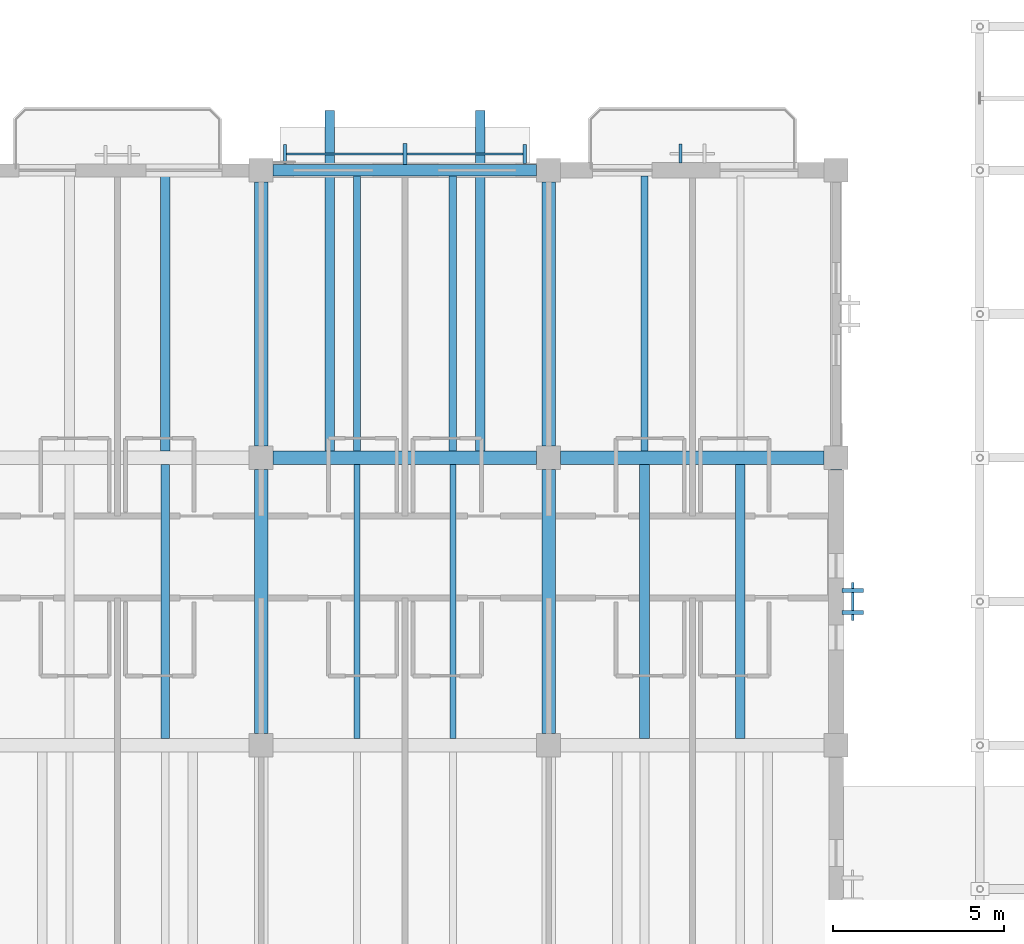
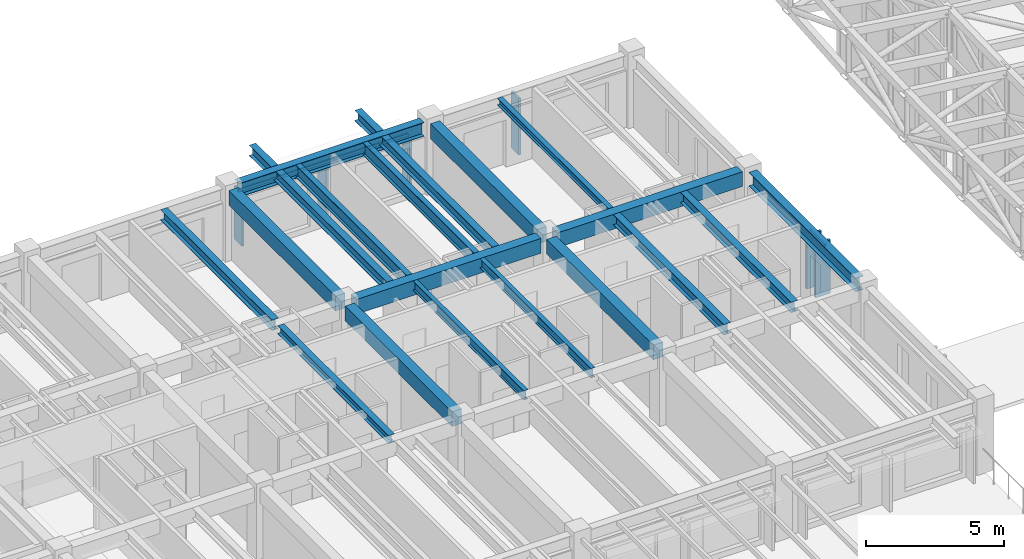
# One storey, part 30 of 111: 19 beams, 8 members, 3 elements without a shape of their own.
"""IFC4 building model written with IfcOpenShell, lengths in metres."""

from ifc_helpers import new_model, si_unit, direction, frame, origin, origin_2d, place, context, subcontext, project, spatial, rectangle, i_section, extrude, material, material_profile, profile_set, type_object, element, aggregate, save


model = new_model("IFC4")

# Units and contexts
model_context = context("Model", 3, precision=1e-05, world=origin(), true_north=direction((0.0, 1.0)))
body_context = subcontext(model_context, "Body", "Model", "MODEL_VIEW")
ifc_project = project(units=[si_unit("LENGTHUNIT", "METRE"), si_unit("AREAUNIT", "SQUARE_METRE"), si_unit("VOLUMEUNIT", "CUBIC_METRE"), si_unit("PLANEANGLEUNIT", "RADIAN"), si_unit("MASSUNIT", "GRAM", prefix="KILO")], contexts=[model_context])

# Site, building, storey
site_placement = place(None, origin())
site = spatial("IfcSite", under=ifc_project, at=site_placement, CompositionType="ELEMENT")
building_placement = place(site_placement, origin())
building = spatial("IfcBuilding", under=site, at=building_placement, Name="Cumbredor Promenade Congress Hotel", CompositionType="ELEMENT")
storey_placement = place(building_placement, frame((0.0, 0.0, 15.1201171875)))
storey = spatial("IfcBuildingStorey", under=building, at=storey_placement, Name="L04", CompositionType="ELEMENT", Elevation=15.1201171875)

# Beams
ifc_material_1 = material(Name="Concrete C40/50", Category="concrete")
ifc_material_profile_1 = material_profile(ifc_material_1, rectangle(XDim=0.39990234375, YDim=0.64990234375, at=origin_2d()), Name="RC BEAM 400x650")
ifc_profile_set_1 = profile_set([ifc_material_profile_1], Name="Concrete C40/50")
beam_type_1 = type_object("IfcBeamType", Name="BM-RC-400x650", PredefinedType="BEAM", material=ifc_profile_set_1)
beam_1_placement = place(storey_placement, frame((67.199951171875, 101.14990234375, 2.794921875), z_axis=(0.0, 1.0, 0.0), x_axis=(-1.0, 0.0, 0.0)))
element("IfcBeam", 1, at=beam_1_placement, inside=storey, type_object=beam_type_1, Name="L05 Y-Grid Beam 119", PredefinedType="BEAM", context=body_context, shape_type="SweptSolid", body=[
    extrude(rectangle(XDim=0.39990234375, YDim=0.64990234375, at=origin_2d()), origin(), (0.0, 0.0, 1.0), 7.7001953125),
])
for number, where, z_axis, x_axis, name in (
    (2, (67.550048828125, 109.199951171875, 2.794921875), (1.0, 0.0, 0.0), (0.0, 1.0, 0.0), "L05 X-Grid Beam 120"),
    (3, (67.199951171875, 109.550048828125, 2.794921875), (0.0, 1.0, 0.0), (-1.0, 0.0, 0.0), "L05 Y-Grid Beam 121"),
):
    element("IfcBeam", number, at=place(storey_placement, frame(where, z_axis=z_axis, x_axis=x_axis)), inside=storey, type_object=beam_type_1, Name=name, PredefinedType="BEAM", context=body_context, shape_type="SweptSolid", body=[
        extrude(rectangle(XDim=0.39990234375, YDim=0.64990234375, at=origin_2d()), origin(), (0.0, 0.0, 1.0), 7.699951171875),
    ])
beam_2_placement = place(storey_placement, frame((75.60009765625, 101.14990234375, 2.794921875), z_axis=(0.0, 1.0, 0.0), x_axis=(-1.0, 0.0, 0.0)))
element("IfcBeam", 4, at=beam_2_placement, inside=storey, type_object=beam_type_1, Name="L05 Y-Grid Beam 126", PredefinedType="BEAM", context=body_context, shape_type="SweptSolid", body=[
    extrude(rectangle(XDim=0.39990234375, YDim=0.64990234375, at=origin_2d()), origin(), (0.0, 0.0, 1.0), 7.7001953125),
])
for number, where, z_axis, x_axis, name in (
    (5, (75.949951171875, 109.199951171875, 2.794921875), (1.0, 0.0, 0.0), (0.0, 1.0, 0.0), "L05 X-Grid Beam 127"),
    (6, (75.60009765625, 109.550048828125, 2.794921875), (0.0, 1.0, 0.0), (-1.0, 0.0, 0.0), "L05 Y-Grid Beam 128"),
):
    element("IfcBeam", number, at=place(storey_placement, frame(where, z_axis=z_axis, x_axis=x_axis)), inside=storey, type_object=beam_type_1, Name=name, PredefinedType="BEAM", context=body_context, shape_type="SweptSolid", body=[
        extrude(rectangle(XDim=0.39990234375, YDim=0.64990234375, at=origin_2d()), origin(), (0.0, 0.0, 1.0), 7.699951171875),
    ])
ifc_material_2 = material(Name="Steel ASTM A992 Grade 50", Category="steel")
ifc_material_profile_2 = material_profile(ifc_material_2, i_section(OverallWidth=0.323974609375, OverallDepth=0.611083984375, WebThickness=0.0126953125, FlangeThickness=0.01904296875, at=origin_2d()), Name="W24X104")
ifc_profile_set_2 = profile_set([ifc_material_profile_2], Name="Steel ASTM A992 Grade 50")
beam_type_2 = type_object("IfcBeamType", Name="BM-W24X104", PredefinedType="BEAM", material=ifc_profile_set_2)
beam_3_placement = place(storey_placement, frame((67.550048828125, 117.60009765625, 2.814453125), z_axis=(1.0, 0.0, 0.0), x_axis=(0.0, 1.0, 0.0)))
element("IfcBeam", 7, at=beam_3_placement, inside=storey, type_object=beam_type_2, Name="L05 X-Grid Beam 122", PredefinedType="BEAM", context=body_context, shape_type="SweptSolid", body=[
    extrude(i_section(OverallWidth=0.323974609375, OverallDepth=0.611083984375, WebThickness=0.0126953125, FlangeThickness=0.01904296875, at=origin_2d()), origin(), (0.0, 0.0, 1.0), 7.699951171875),
])

# Curtain wall, member
ifc_material_3 = material(Name="Thermally broken anodized aluminium and low-E glass", Category="aluminium")
curtain_wall_type = type_object("IfcCurtainWallType", Name="Solar Brise-Soleil Screen Assembly CW-07", PredefinedType="NOTDEFINED", material=ifc_material_3)
curtain_wall_1_placement = place(storey_placement, origin())
curtain_wall_1 = element("IfcCurtainWall", 8, at=curtain_wall_1_placement, inside=storey, type_object=curtain_wall_type, Name="L04 Hospitality Brise-Soleil Screen 077", PredefinedType="NOTDEFINED")
ifc_material_4 = material(Name="Thermally broken anodized aluminium", Category="aluminium")
ifc_material_profile_3 = material_profile(ifc_material_4, rectangle(XDim=0.06494140625, YDim=0.1298828125, at=origin_2d()), Name="ALU TRANSOM 65x130")
ifc_profile_set_3 = profile_set([ifc_material_profile_3], Name="Thermally broken anodized aluminium")
member_type_1 = type_object("IfcMemberType", Name="Curtain Wall Transom TR-01", PredefinedType="USERDEFINED", material=ifc_profile_set_3)
member_1_placement = place(storey_placement, frame((67.85107421875, 118.072509765625, 2.31396484375), z_axis=(1.0, 0.0, 0.0), x_axis=(0.0, 1.0, 0.0)))
member_1 = element("IfcMember", 9, at=member_1_placement, type_object=member_type_1, Name="L04 Brise-Soleil Screen Transom 077", ObjectType="TRANSOM", PredefinedType="USERDEFINED", context=body_context, shape_type="SweptSolid", body=[
    extrude(rectangle(XDim=0.06494140625, YDim=0.1298828125, at=origin_2d()), origin(), (0.0, 0.0, 1.0), 7.097900390625),
])

curtain_wall_2_placement = place(storey_placement, origin())
curtain_wall_2 = element("IfcCurtainWall", 10, at=curtain_wall_2_placement, inside=storey, type_object=curtain_wall_type, Name="L04 Pier Brise-Soleil Screen 0799", PredefinedType="NOTDEFINED")
member_2_placement = place(storey_placement, frame((84.485107421875, 104.449951171875, 2.333984375), z_axis=(0.0, 1.0, 0.0), x_axis=(-1.0, 0.0, 0.0)))
member_2 = element("IfcMember", 11, at=member_2_placement, type_object=member_type_1, Name="L04 Pier Brise-Soleil Header 0801", ObjectType="TRANSOM", PredefinedType="USERDEFINED", context=body_context, shape_type="SweptSolid", body=[
    extrude(rectangle(XDim=0.06494140625, YDim=0.1298828125, at=origin_2d()), origin(), (0.0, 0.0, 1.0), 1.10009765625),
])

# Beams
ifc_material_profile_4 = material_profile(ifc_material_2, i_section(OverallWidth=0.202880859375, OverallDepth=0.302978515625, WebThickness=0.007568359375, FlangeThickness=0.01318359375, at=origin_2d()), Name="W12X40")
ifc_profile_set_4 = profile_set([ifc_material_profile_4], Name="Steel ASTM A992 Grade 50")
beam_type_3 = type_object("IfcBeamType", Name="JST-W12X40", PredefinedType="JOIST", material=ifc_profile_set_4)
beam_4_placement = place(storey_placement, frame((78.39990234375, 109.39990234375, 2.96826171875), z_axis=(0.0, 1.0, 0.0), x_axis=(-1.0, 0.0, 0.0)))
element("IfcBeam", 12, at=beam_4_placement, inside=storey, type_object=beam_type_3, Name="L05 Secondary Floor Joist 0074", PredefinedType="JOIST", context=body_context, shape_type="SweptSolid", body=[
    extrude(i_section(OverallWidth=0.202880859375, OverallDepth=0.302978515625, WebThickness=0.007568359375, FlangeThickness=0.01318359375, at=origin_2d()), origin(), (0.0, 0.0, 1.0), 8.0380859375),
])
ifc_material_profile_5 = material_profile(ifc_material_2, i_section(OverallWidth=0.2548828125, OverallDepth=0.35693359375, WebThickness=0.010498046875, FlangeThickness=0.018310546875, at=origin_2d()), Name="W14X68")
ifc_profile_set_5 = profile_set([ifc_material_profile_5], Name="Steel ASTM A992 Grade 50")
beam_type_4 = type_object("IfcBeamType", Name="JST-W14X68", PredefinedType="JOIST", material=ifc_profile_set_5)
beam_5_placement = place(storey_placement, frame((64.39990234375, 101.0, 2.94140625), z_axis=(0.0, 1.0, 0.0), x_axis=(-1.0, 0.0, 0.0)))
element("IfcBeam", 13, at=beam_5_placement, inside=storey, type_object=beam_type_4, Name="L05 Secondary Floor Joist 0061", PredefinedType="JOIST", context=body_context, shape_type="SweptSolid", body=[
    extrude(i_section(OverallWidth=0.2548828125, OverallDepth=0.35693359375, WebThickness=0.010498046875, FlangeThickness=0.018310546875, at=origin_2d()), origin(), (0.0, 0.0, 1.0), 8.0),
])
ifc_material_profile_6 = material_profile(ifc_material_2, i_section(OverallWidth=0.180908203125, OverallDepth=0.4169921875, WebThickness=0.010986328125, FlangeThickness=0.018310546875, at=origin_2d()), Name="W16X57")
ifc_profile_set_6 = profile_set([ifc_material_profile_6], Name="Steel ASTM A992 Grade 50")
beam_type_5 = type_object("IfcBeamType", Name="JST-W16X57", PredefinedType="JOIST", material=ifc_profile_set_6)
for number, where, z_axis, x_axis, name in (
    (14, (70.0, 101.0, 2.911376953125), (0.0, 1.0, 0.0), (-1.0, 0.0, 0.0), "L05 Secondary Floor Joist 0066"),
    (15, (72.800048828125, 101.0, 2.911376953125), (0.0, 1.0, 0.0), (-1.0, 0.0, 0.0), "L05 Secondary Floor Joist 0067"),
):
    element("IfcBeam", number, at=place(storey_placement, frame(where, z_axis=z_axis, x_axis=x_axis)), inside=storey, type_object=beam_type_5, Name=name, PredefinedType="JOIST", context=body_context, shape_type="SweptSolid", body=[
        extrude(i_section(OverallWidth=0.180908203125, OverallDepth=0.4169921875, WebThickness=0.010986328125, FlangeThickness=0.018310546875, at=origin_2d()), origin(), (0.0, 0.0, 1.0), 8.0),
    ])
ifc_material_profile_7 = material_profile(ifc_material_2, i_section(OverallWidth=0.280029296875, OverallDepth=0.462890625, WebThickness=0.0107421875, FlangeThickness=0.017333984375, at=origin_2d()), Name="W18X76")
ifc_profile_set_7 = profile_set([ifc_material_profile_7], Name="Steel ASTM A992 Grade 50")
beam_type_6 = type_object("IfcBeamType", Name="JST-W18X76", PredefinedType="JOIST", material=ifc_profile_set_7)
for number, where, z_axis, x_axis, name in (
    (16, (69.199951171875, 109.199951171875, 2.888427734375), (0.0, 1.0, 0.0), (-1.0, 0.0, 0.0), "L05 Balcony Back-Spanned Outrigger Beam 028.1"),
    (17, (73.60009765625, 109.199951171875, 2.888427734375), (0.0, 1.0, 0.0), (-1.0, 0.0, 0.0), "L05 Balcony Back-Spanned Outrigger Beam 028.2"),
):
    element("IfcBeam", number, at=place(storey_placement, frame(where, z_axis=z_axis, x_axis=x_axis)), inside=storey, type_object=beam_type_6, Name=name, PredefinedType="JOIST", context=body_context, shape_type="SweptSolid", body=[
        extrude(i_section(OverallWidth=0.280029296875, OverallDepth=0.462890625, WebThickness=0.0107421875, FlangeThickness=0.017333984375, at=origin_2d()), origin(), (0.0, 0.0, 1.0), 10.150146484375),
    ])
beam_6_placement = place(storey_placement, frame((64.39990234375, 109.39990234375, 2.888427734375), z_axis=(0.0, 1.0, 0.0), x_axis=(-1.0, 0.0, 0.0)))
element("IfcBeam", 18, at=beam_6_placement, inside=storey, type_object=beam_type_6, Name="L05 Secondary Floor Joist 0063", PredefinedType="JOIST", context=body_context, shape_type="SweptSolid", body=[
    extrude(i_section(OverallWidth=0.280029296875, OverallDepth=0.462890625, WebThickness=0.0107421875, FlangeThickness=0.017333984375, at=origin_2d()), origin(), (0.0, 0.0, 1.0), 8.0380859375),
])
for number, where, z_axis, x_axis, name in (
    (19, (78.39990234375, 101.0, 2.888427734375), (0.0, 1.0, 0.0), (-1.0, 0.0, 0.0), "L05 Secondary Floor Joist 0072"),
    (20, (81.199951171875, 101.0, 2.888427734375), (0.0, 1.0, 0.0), (-1.0, 0.0, 0.0), "L05 Secondary Floor Joist 0073"),
):
    element("IfcBeam", number, at=place(storey_placement, frame(where, z_axis=z_axis, x_axis=x_axis)), inside=storey, type_object=beam_type_6, Name=name, PredefinedType="JOIST", context=body_context, shape_type="SweptSolid", body=[
        extrude(i_section(OverallWidth=0.280029296875, OverallDepth=0.462890625, WebThickness=0.0107421875, FlangeThickness=0.017333984375, at=origin_2d()), origin(), (0.0, 0.0, 1.0), 8.0),
    ])
ifc_material_profile_8 = material_profile(ifc_material_2, i_section(OverallWidth=0.214111328125, OverallDepth=0.549072265625, WebThickness=0.0146484375, FlangeThickness=0.023681640625, at=origin_2d()), Name="W21X93")
ifc_profile_set_8 = profile_set([ifc_material_profile_8], Name="Steel ASTM A992 Grade 50")
beam_type_7 = type_object("IfcBeamType", Name="JST-W21X93", PredefinedType="JOIST", material=ifc_profile_set_8)
for number, where, z_axis, x_axis, name in (
    (21, (70.0, 109.39990234375, 2.845458984375), (0.0, 1.0, 0.0), (-1.0, 0.0, 0.0), "L05 Secondary Floor Joist 0068"),
    (22, (72.800048828125, 109.39990234375, 2.845458984375), (0.0, 1.0, 0.0), (-1.0, 0.0, 0.0), "L05 Secondary Floor Joist 0069"),
):
    element("IfcBeam", number, at=place(storey_placement, frame(where, z_axis=z_axis, x_axis=x_axis)), inside=storey, type_object=beam_type_7, Name=name, PredefinedType="JOIST", context=body_context, shape_type="SweptSolid", body=[
        extrude(i_section(OverallWidth=0.214111328125, OverallDepth=0.549072265625, WebThickness=0.0146484375, FlangeThickness=0.023681640625, at=origin_2d()), origin(), (0.0, 0.0, 1.0), 8.0380859375),
    ])
ifc_material_profile_9 = material_profile(ifc_material_2, i_section(OverallWidth=0.323974609375, OverallDepth=0.611083984375, WebThickness=0.0126953125, FlangeThickness=0.01904296875, at=origin_2d()), Name="W24X104")
ifc_profile_set_9 = profile_set([ifc_material_profile_9], Name="Steel ASTM A992 Grade 50")
beam_type_8 = type_object("IfcBeamType", Name="SP-W24X104", PredefinedType="SPANDREL", material=ifc_profile_set_9)
beam_7_placement = place(storey_placement, frame((84.0, 101.14990234375, 2.814453125), z_axis=(0.0, 1.0, 0.0), x_axis=(-1.0, 0.0, 0.0)))
element("IfcBeam", 23, at=beam_7_placement, inside=storey, type_object=beam_type_8, Name="L05 Y-Grid Beam 131", PredefinedType="SPANDREL", context=body_context, shape_type="SweptSolid", body=[
    extrude(i_section(OverallWidth=0.323974609375, OverallDepth=0.611083984375, WebThickness=0.0126953125, FlangeThickness=0.01904296875, at=origin_2d()), origin(), (0.0, 0.0, 1.0), 7.7001953125),
])

# Member
ifc_material_profile_10 = material_profile(ifc_material_4, rectangle(XDim=0.110107421875, YDim=0.6201171875, at=origin_2d()), Name="ARCH FIN 110x620")
ifc_profile_set_10 = profile_set([ifc_material_profile_10], Name="Thermally broken anodized aluminium")
member_type_2 = type_object("IfcMemberType", Name="Vertical Bronze Brise-Soleil Fin BSF-02 110x620", PredefinedType="USERDEFINED", material=ifc_profile_set_10)
member_3_placement = place(storey_placement, frame((71.39990234375, 118.072509765625, 0.019775390625), z_axis=(0.0, 0.0, 1.0), x_axis=(1.0, 0.0, 0.0)))
member_3 = element("IfcMember", 24, at=member_3_placement, type_object=member_type_2, Name="L04 Vertical Brise-Soleil Fin 0782", ObjectType="SOLAR FIN", PredefinedType="USERDEFINED", context=body_context, shape_type="SweptSolid", body=[
    extrude(rectangle(XDim=0.110107421875, YDim=0.6201171875, at=origin_2d()), origin(), (0.0, 0.0, 1.0), 2.35400390625),
])

member_4_placement = place(storey_placement, frame((84.485107421875, 104.679931640625, 0.019775390625), z_axis=(0.0, 0.0, 1.0), x_axis=(0.0, 1.0, 0.0)))
member_4 = element("IfcMember", 25, at=member_4_placement, type_object=member_type_2, Name="L04 Pier Brise-Soleil Fin 0800", ObjectType="SOLAR FIN", PredefinedType="USERDEFINED", context=body_context, shape_type="SweptSolid", body=[
    extrude(rectangle(XDim=0.110107421875, YDim=0.6201171875, at=origin_2d()), origin(), (0.0, 0.0, 1.0), 2.35400390625),
])

member_5_placement = place(storey_placement, frame((84.485107421875, 105.320068359375, 0.019775390625), z_axis=(0.0, 0.0, 1.0), x_axis=(0.0, 1.0, 0.0)))
member_5 = element("IfcMember", 26, at=member_5_placement, type_object=member_type_2, Name="L04 Pier Brise-Soleil Fin 0801", ObjectType="SOLAR FIN", PredefinedType="USERDEFINED", context=body_context, shape_type="SweptSolid", body=[
    extrude(rectangle(XDim=0.110107421875, YDim=0.6201171875, at=origin_2d()), origin(), (0.0, 0.0, 1.0), 2.35400390625),
])

aggregate(curtain_wall_2, [member_4, member_5, member_2])

ifc_material_5 = material(Name="Kiln-dried tropical hardwood", Category="wood")
ifc_material_profile_11 = material_profile(ifc_material_5, rectangle(XDim=0.090087890625, YDim=0.550048828125, at=origin_2d()), Name="ARCH FIN 90x550")
ifc_profile_set_11 = profile_set([ifc_material_profile_11], Name="Kiln-dried tropical hardwood")
member_type_3 = type_object("IfcMemberType", Name="Vertical Hardwood Brise-Soleil Fin BSF-01 90x550", PredefinedType="USERDEFINED", material=ifc_profile_set_11)
member_6_placement = place(storey_placement, frame((67.90087890625, 118.072509765625, 0.019775390625), z_axis=(0.0, 0.0, 1.0), x_axis=(1.0, 0.0, 0.0)))
member_6 = element("IfcMember", 27, at=member_6_placement, type_object=member_type_3, Name="L04 Vertical Brise-Soleil Fin 0781", ObjectType="SOLAR FIN", PredefinedType="USERDEFINED", context=body_context, shape_type="SweptSolid", body=[
    extrude(rectangle(XDim=0.090087890625, YDim=0.550048828125, at=origin_2d()), origin(), (0.0, 0.0, 1.0), 2.35400390625),
])

member_7_placement = place(storey_placement, frame((74.89892578125, 118.072509765625, 0.019775390625), z_axis=(0.0, 0.0, 1.0), x_axis=(1.0, 0.0, 0.0)))
member_7 = element("IfcMember", 28, at=member_7_placement, type_object=member_type_3, Name="L04 Vertical Brise-Soleil Fin 0783", ObjectType="SOLAR FIN", PredefinedType="USERDEFINED", context=body_context, shape_type="SweptSolid", body=[
    extrude(rectangle(XDim=0.090087890625, YDim=0.550048828125, at=origin_2d()), origin(), (0.0, 0.0, 1.0), 2.35400390625),
])

aggregate(curtain_wall_1, [member_1, member_6, member_3, member_7])

# Curtain wall, member
curtain_wall_3_placement = place(storey_placement, origin())
curtain_wall_3 = element("IfcCurtainWall", 29, at=curtain_wall_3_placement, inside=storey, type_object=curtain_wall_type, Name="L04 Veranda Solar Brise-Soleil Screen 784", PredefinedType="NOTDEFINED")
member_8_placement = place(storey_placement, frame((79.449951171875, 118.0849609375, -0.010009765625), z_axis=(0.0, 0.0, 1.0), x_axis=(1.0, 0.0, 0.0)))
member_8 = element("IfcMember", 30, at=member_8_placement, type_object=member_type_3, Name="L04 Vertical Hardwood Brise-Soleil Fin 0785", ObjectType="SOLAR FIN", PredefinedType="USERDEFINED", context=body_context, shape_type="SweptSolid", body=[
    extrude(rectangle(XDim=0.090087890625, YDim=0.550048828125, at=origin_2d()), origin(), (0.0, 0.0, 1.0), 2.48388671875),
])
aggregate(curtain_wall_3, [member_8])

save(model, "model.ifc")
